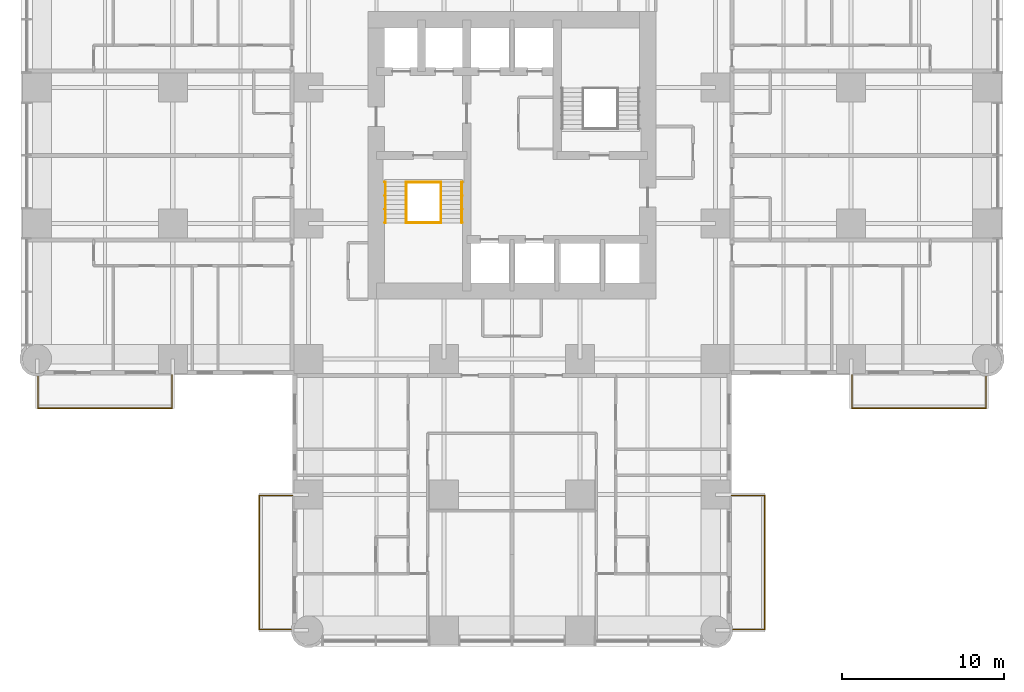
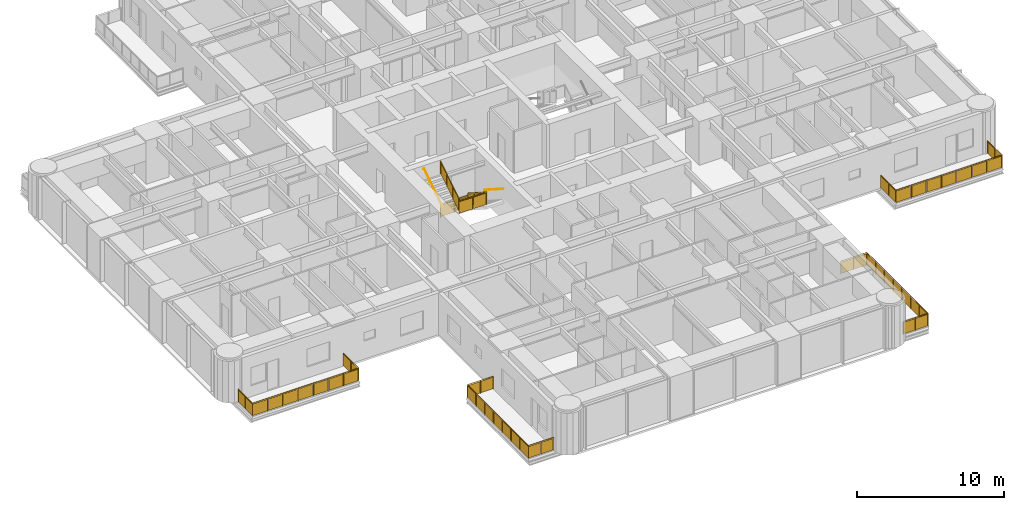
# One storey, part 16 of 17: 10 railings.
"""IFC4 building model written with IfcOpenShell, lengths in metres."""

from ifc_helpers import new_model, si_unit, direction, frame, origin, origin_2d, place, context, subcontext, project, spatial, polyline, circle, outline, extrude, material, constituent, constituent_set, type_object, element, save


model = new_model("IFC4")

# Units and contexts
model_context = context("Model", 3, precision=1e-05, world=origin(), true_north=direction((0.0, 1.0)))
body_context = subcontext(model_context, "Body", "Model", "MODEL_VIEW")
ifc_project = project(units=[si_unit("LENGTHUNIT", "METRE"), si_unit("AREAUNIT", "SQUARE_METRE"), si_unit("VOLUMEUNIT", "CUBIC_METRE"), si_unit("PLANEANGLEUNIT", "RADIAN"), si_unit("MASSUNIT", "GRAM", prefix="KILO")], contexts=[model_context])

# Site, building, storey
site_placement = place(None, origin())
site = spatial("IfcSite", under=ifc_project, at=site_placement, CompositionType="ELEMENT")
building_placement = place(site_placement, origin())
building = spatial("IfcBuilding", under=site, at=building_placement, Name="Torre Alcanfor", CompositionType="ELEMENT")
storey_placement = place(building_placement, frame((0.0, 0.0, 84.89990234375)))
storey = spatial("IfcBuildingStorey", under=building, at=storey_placement, Name="L21", CompositionType="ELEMENT", Elevation=84.89990234375)

# Railings
ifc_material_1 = material(Name="Laminated safety glass", Category="glass")
ifc_constituent_1 = constituent(ifc_material_1, Name="Infill")
ifc_material_2 = material(Name="Stainless steel ASTM A554 Grade MT 316L tube", Category="steel")
ifc_constituent_2 = constituent(ifc_material_2, Name="Posts and rail")
ifc_constituent_set = constituent_set(constituents=[ifc_constituent_1, ifc_constituent_2], Name="Balcony guard glass 1100")
railing_type_1 = type_object("IfcRailingType", Name="Balcony guard glass 1100", PredefinedType="BALUSTRADE", material=ifc_constituent_set)
railing_1_placement = place(storey_placement, frame((50.449951171875, 15.800048828125, 0.0)))
element("IfcRailing", 1, at=railing_1_placement, inside=storey, type_object=railing_type_1, Name="Balcony guard L21-E2", PredefinedType="BALUSTRADE", context=body_context, shape_type="SweptSolid", body=[
    extrude(circle(Radius=0.02392578125, at=origin_2d()), frame((0.0, 0.0, 1.076171875), z_axis=(0.0, -1.0, 0.0), x_axis=(1.0, 0.0, 0.0)), (0.0, 0.0, 1.0), 2.050048828125),
    extrude(circle(Radius=0.02392578125, at=origin_2d()), frame((0.0, -2.050048828125, 1.076171875), z_axis=(1.0, 0.0, 0.0), x_axis=(0.0, 1.0, 0.0)), (0.0, 0.0, 1.0), 8.300048828125),
    extrude(circle(Radius=0.02392578125, at=origin_2d()), frame((8.300048828125, -2.050048828125, 1.076171875), z_axis=(0.0, 1.0, 0.0), x_axis=(-1.0, 0.0, 0.0)), (0.0, 0.0, 1.0), 1.968994140625),
    extrude(circle(Radius=0.02099609375, at=origin_2d()), origin(), (0.0, 0.0, 1.0), 1.052001953125),
    extrude(circle(Radius=0.02099609375, at=origin_2d()), frame((0.0, -1.02490234375, 0.0)), (0.0, 0.0, 1.0), 1.052001953125),
    extrude(circle(Radius=0.02099609375, at=origin_2d()), frame((0.0, -2.050048828125, 0.0)), (0.0, 0.0, 1.0), 1.052001953125),
    extrude(circle(Radius=0.02099609375, at=origin_2d()), frame((1.185791015625, -2.050048828125, 0.0)), (0.0, 0.0, 1.0), 1.052001953125),
    extrude(circle(Radius=0.02099609375, at=origin_2d()), frame((2.371337890625, -2.050048828125, 0.0)), (0.0, 0.0, 1.0), 1.052001953125),
    extrude(circle(Radius=0.02099609375, at=origin_2d()), frame((3.55712890625, -2.050048828125, 0.0)), (0.0, 0.0, 1.0), 1.052001953125),
    extrude(circle(Radius=0.02099609375, at=origin_2d()), frame((4.742919921875, -2.050048828125, 0.0)), (0.0, 0.0, 1.0), 1.052001953125),
    extrude(circle(Radius=0.02099609375, at=origin_2d()), frame((5.9287109375, -2.050048828125, 0.0)), (0.0, 0.0, 1.0), 1.052001953125),
    extrude(circle(Radius=0.02099609375, at=origin_2d()), frame((7.1142578125, -2.050048828125, 0.0)), (0.0, 0.0, 1.0), 1.052001953125),
    extrude(circle(Radius=0.02099609375, at=origin_2d()), frame((8.300048828125, -2.050048828125, 0.0)), (0.0, 0.0, 1.0), 1.052001953125),
    extrude(circle(Radius=0.02099609375, at=origin_2d()), frame((8.300048828125, -1.0654296875, 0.0)), (0.0, 0.0, 1.0), 1.052001953125),
    extrude(circle(Radius=0.02099609375, at=origin_2d()), frame((8.300048828125, -0.0810546875, 0.0)), (0.0, 0.0, 1.0), 1.052001953125),
    extrude(outline(polyline([(0.041015625, 0.050048828125), (0.984130859375, 0.050048828125), (0.984130859375, 1.001953125), (0.041015625, 1.001953125), (0.041015625, 0.050048828125)])), frame((0.005859375, 0.0, 0.0), z_axis=(-1.0, 0.0, 0.0), x_axis=(0.0, -1.0, 0.0)), (0.0, 0.0, 1.0), 0.011962890625),
    extrude(outline(polyline([(1.06591796875, 0.050048828125), (2.009033203125, 0.050048828125), (2.009033203125, 1.001953125), (1.06591796875, 1.001953125), (1.06591796875, 0.050048828125)])), frame((0.005859375, 0.0, 0.0), z_axis=(-1.0, 0.0, 0.0), x_axis=(0.0, -1.0, 0.0)), (0.0, 0.0, 1.0), 0.011962890625),
    extrude(outline(polyline([(0.041015625, 0.050048828125), (1.144775390625, 0.050048828125), (1.144775390625, 1.001953125), (0.041015625, 1.001953125), (0.041015625, 0.050048828125)])), frame((0.0, -2.0439453125, 0.0), z_axis=(0.0, -1.0, 0.0), x_axis=(1.0, 0.0, 0.0)), (0.0, 0.0, 1.0), 0.011962890625),
    extrude(outline(polyline([(1.226806640625, 0.050048828125), (2.330322265625, 0.050048828125), (2.330322265625, 1.001953125), (1.226806640625, 1.001953125), (1.226806640625, 0.050048828125)])), frame((0.0, -2.0439453125, 0.0), z_axis=(0.0, -1.0, 0.0), x_axis=(1.0, 0.0, 0.0)), (0.0, 0.0, 1.0), 0.011962890625),
    extrude(outline(polyline([(2.412353515625, 0.050048828125), (3.51611328125, 0.050048828125), (3.51611328125, 1.001953125), (2.412353515625, 1.001953125), (2.412353515625, 0.050048828125)])), frame((0.0, -2.0439453125, 0.0), z_axis=(0.0, -1.0, 0.0), x_axis=(1.0, 0.0, 0.0)), (0.0, 0.0, 1.0), 0.011962890625),
    extrude(outline(polyline([(3.59814453125, 0.050048828125), (4.701904296875, 0.050048828125), (4.701904296875, 1.001953125), (3.59814453125, 1.001953125), (3.59814453125, 0.050048828125)])), frame((0.0, -2.0439453125, 0.0), z_axis=(0.0, -1.0, 0.0), x_axis=(1.0, 0.0, 0.0)), (0.0, 0.0, 1.0), 0.011962890625),
    extrude(outline(polyline([(4.783935546875, 0.050048828125), (5.8876953125, 0.050048828125), (5.8876953125, 1.001953125), (4.783935546875, 1.001953125), (4.783935546875, 0.050048828125)])), frame((0.0, -2.0439453125, 0.0), z_axis=(0.0, -1.0, 0.0), x_axis=(1.0, 0.0, 0.0)), (0.0, 0.0, 1.0), 0.011962890625),
    extrude(outline(polyline([(5.9697265625, 0.050048828125), (7.0732421875, 0.050048828125), (7.0732421875, 1.001953125), (5.9697265625, 1.001953125), (5.9697265625, 0.050048828125)])), frame((0.0, -2.0439453125, 0.0), z_axis=(0.0, -1.0, 0.0), x_axis=(1.0, 0.0, 0.0)), (0.0, 0.0, 1.0), 0.011962890625),
    extrude(outline(polyline([(7.1552734375, 0.050048828125), (8.259033203125, 0.050048828125), (8.259033203125, 1.001953125), (7.1552734375, 1.001953125), (7.1552734375, 0.050048828125)])), frame((0.0, -2.0439453125, 0.0), z_axis=(0.0, -1.0, 0.0), x_axis=(1.0, 0.0, 0.0)), (0.0, 0.0, 1.0), 0.011962890625),
    extrude(outline(polyline([(0.041015625, 0.050048828125), (0.943603515625, 0.050048828125), (0.943603515625, 1.001953125), (0.041015625, 1.001953125), (0.041015625, 0.050048828125)])), frame((8.2939453125, -2.050048828125, 0.0), z_axis=(1.0, 0.0, 0.0), x_axis=(0.0, 1.0, 0.0)), (0.0, 0.0, 1.0), 0.011962890625),
    extrude(outline(polyline([(1.025390625, 0.050048828125), (1.927978515625, 0.050048828125), (1.927978515625, 1.001953125), (1.025390625, 1.001953125), (1.025390625, 0.050048828125)])), frame((8.2939453125, -2.050048828125, 0.0), z_axis=(1.0, 0.0, 0.0), x_axis=(0.0, 1.0, 0.0)), (0.0, 0.0, 1.0), 0.011962890625),
])
railing_2_placement = place(storey_placement, frame((43.0, 8.35009765625, 0.0)))
element("IfcRailing", 2, at=railing_2_placement, inside=storey, type_object=railing_type_1, Name="Balcony guard L21-S1", PredefinedType="BALUSTRADE", context=body_context, shape_type="SweptSolid", body=[
    extrude(circle(Radius=0.02392578125, at=origin_2d()), frame((0.0, 0.0, 1.076171875), z_axis=(1.0, 0.0, 0.0), x_axis=(0.0, 1.0, 0.0)), (0.0, 0.0, 1.0), 2.050048828125),
    extrude(circle(Radius=0.02392578125, at=origin_2d()), frame((2.050048828125, 0.0, 1.076171875), z_axis=(0.0, -1.0, 0.0), x_axis=(1.0, 0.0, 0.0)), (0.0, 0.0, 1.0), 8.300048828125),
    extrude(circle(Radius=0.02392578125, at=origin_2d()), frame((2.050048828125, -8.300048828125, 1.076171875), z_axis=(-1.0, 0.0, 0.0), x_axis=(0.0, -1.0, 0.0)), (0.0, 0.0, 1.0), 1.968994140625),
    extrude(circle(Radius=0.02099609375, at=origin_2d()), origin(), (0.0, 0.0, 1.0), 1.052001953125),
    extrude(circle(Radius=0.02099609375, at=origin_2d()), frame((1.02490234375, 0.0, 0.0)), (0.0, 0.0, 1.0), 1.052001953125),
    extrude(circle(Radius=0.02099609375, at=origin_2d()), frame((2.050048828125, 0.0, 0.0)), (0.0, 0.0, 1.0), 1.052001953125),
    extrude(circle(Radius=0.02099609375, at=origin_2d()), frame((2.050048828125, -1.185791015625, 0.0)), (0.0, 0.0, 1.0), 1.052001953125),
    extrude(circle(Radius=0.02099609375, at=origin_2d()), frame((2.050048828125, -2.371337890625, 0.0)), (0.0, 0.0, 1.0), 1.052001953125),
    extrude(circle(Radius=0.02099609375, at=origin_2d()), frame((2.050048828125, -3.55712890625, 0.0)), (0.0, 0.0, 1.0), 1.052001953125),
    extrude(circle(Radius=0.02099609375, at=origin_2d()), frame((2.050048828125, -4.742919921875, 0.0)), (0.0, 0.0, 1.0), 1.052001953125),
    extrude(circle(Radius=0.02099609375, at=origin_2d()), frame((2.050048828125, -5.9287109375, 0.0)), (0.0, 0.0, 1.0), 1.052001953125),
    extrude(circle(Radius=0.02099609375, at=origin_2d()), frame((2.050048828125, -7.1142578125, 0.0)), (0.0, 0.0, 1.0), 1.052001953125),
    extrude(circle(Radius=0.02099609375, at=origin_2d()), frame((2.050048828125, -8.300048828125, 0.0)), (0.0, 0.0, 1.0), 1.052001953125),
    extrude(circle(Radius=0.02099609375, at=origin_2d()), frame((1.0654296875, -8.300048828125, 0.0)), (0.0, 0.0, 1.0), 1.052001953125),
    extrude(circle(Radius=0.02099609375, at=origin_2d()), frame((0.0810546875, -8.300048828125, 0.0)), (0.0, 0.0, 1.0), 1.052001953125),
    extrude(outline(polyline([(0.041015625, 0.050048828125), (0.984130859375, 0.050048828125), (0.984130859375, 1.001953125), (0.041015625, 1.001953125), (0.041015625, 0.050048828125)])), frame((0.0, 0.005859375, 0.0), z_axis=(0.0, -1.0, 0.0), x_axis=(1.0, 0.0, 0.0)), (0.0, 0.0, 1.0), 0.011962890625),
    extrude(outline(polyline([(1.06591796875, 0.050048828125), (2.009033203125, 0.050048828125), (2.009033203125, 1.001953125), (1.06591796875, 1.001953125), (1.06591796875, 0.050048828125)])), frame((0.0, 0.005859375, 0.0), z_axis=(0.0, -1.0, 0.0), x_axis=(1.0, 0.0, 0.0)), (0.0, 0.0, 1.0), 0.011962890625),
    extrude(outline(polyline([(0.041015625, 0.050048828125), (1.144775390625, 0.050048828125), (1.144775390625, 1.001953125), (0.041015625, 1.001953125), (0.041015625, 0.050048828125)])), frame((2.05615234375, 0.0, 0.0), z_axis=(-1.0, 0.0, 0.0), x_axis=(0.0, -1.0, 0.0)), (0.0, 0.0, 1.0), 0.011962890625),
    extrude(outline(polyline([(1.226806640625, 0.050048828125), (2.330322265625, 0.050048828125), (2.330322265625, 1.001953125), (1.226806640625, 1.001953125), (1.226806640625, 0.050048828125)])), frame((2.05615234375, 0.0, 0.0), z_axis=(-1.0, 0.0, 0.0), x_axis=(0.0, -1.0, 0.0)), (0.0, 0.0, 1.0), 0.011962890625),
    extrude(outline(polyline([(2.412353515625, 0.050048828125), (3.51611328125, 0.050048828125), (3.51611328125, 1.001953125), (2.412353515625, 1.001953125), (2.412353515625, 0.050048828125)])), frame((2.05615234375, 0.0, 0.0), z_axis=(-1.0, 0.0, 0.0), x_axis=(0.0, -1.0, 0.0)), (0.0, 0.0, 1.0), 0.011962890625),
    extrude(outline(polyline([(3.59814453125, 0.050048828125), (4.701904296875, 0.050048828125), (4.701904296875, 1.001953125), (3.59814453125, 1.001953125), (3.59814453125, 0.050048828125)])), frame((2.05615234375, 0.0, 0.0), z_axis=(-1.0, 0.0, 0.0), x_axis=(0.0, -1.0, 0.0)), (0.0, 0.0, 1.0), 0.011962890625),
    extrude(outline(polyline([(4.783935546875, 0.050048828125), (5.8876953125, 0.050048828125), (5.8876953125, 1.001953125), (4.783935546875, 1.001953125), (4.783935546875, 0.050048828125)])), frame((2.05615234375, 0.0, 0.0), z_axis=(-1.0, 0.0, 0.0), x_axis=(0.0, -1.0, 0.0)), (0.0, 0.0, 1.0), 0.011962890625),
    extrude(outline(polyline([(5.9697265625, 0.050048828125), (7.0732421875, 0.050048828125), (7.0732421875, 1.001953125), (5.9697265625, 1.001953125), (5.9697265625, 0.050048828125)])), frame((2.05615234375, 0.0, 0.0), z_axis=(-1.0, 0.0, 0.0), x_axis=(0.0, -1.0, 0.0)), (0.0, 0.0, 1.0), 0.011962890625),
    extrude(outline(polyline([(7.1552734375, 0.050048828125), (8.259033203125, 0.050048828125), (8.259033203125, 1.001953125), (7.1552734375, 1.001953125), (7.1552734375, 0.050048828125)])), frame((2.05615234375, 0.0, 0.0), z_axis=(-1.0, 0.0, 0.0), x_axis=(0.0, -1.0, 0.0)), (0.0, 0.0, 1.0), 0.011962890625),
    extrude(outline(polyline([(0.041015625, 0.050048828125), (0.943603515625, 0.050048828125), (0.943603515625, 1.001953125), (0.041015625, 1.001953125), (0.041015625, 0.050048828125)])), frame((2.050048828125, -8.30615234375, 0.0), z_axis=(0.0, 1.0, 0.0), x_axis=(-1.0, 0.0, 0.0)), (0.0, 0.0, 1.0), 0.011962890625),
    extrude(outline(polyline([(1.025390625, 0.050048828125), (1.927978515625, 0.050048828125), (1.927978515625, 1.001953125), (1.025390625, 1.001953125), (1.025390625, 0.050048828125)])), frame((2.050048828125, -8.30615234375, 0.0), z_axis=(0.0, 1.0, 0.0), x_axis=(-1.0, 0.0, 0.0)), (0.0, 0.0, 1.0), 0.011962890625),
])
railing_3_placement = place(storey_placement, frame((15.800048828125, 8.35009765625, 0.0)))
element("IfcRailing", 3, at=railing_3_placement, inside=storey, type_object=railing_type_1, Name="Balcony guard L21-S2", PredefinedType="BALUSTRADE", context=body_context, shape_type="SweptSolid", body=[
    extrude(circle(Radius=0.02392578125, at=origin_2d()), frame((0.0, 0.0, 1.076171875), z_axis=(-1.0, 0.0, 0.0), x_axis=(0.0, -1.0, 0.0)), (0.0, 0.0, 1.0), 2.050048828125),
    extrude(circle(Radius=0.02392578125, at=origin_2d()), frame((-2.050048828125, 0.0, 1.076171875), z_axis=(0.0, -1.0, 0.0), x_axis=(1.0, 0.0, 0.0)), (0.0, 0.0, 1.0), 8.300048828125),
    extrude(circle(Radius=0.02392578125, at=origin_2d()), frame((-2.050048828125, -8.300048828125, 1.076171875), z_axis=(1.0, 0.0, 0.0), x_axis=(0.0, 1.0, 0.0)), (0.0, 0.0, 1.0), 1.968994140625),
    extrude(circle(Radius=0.02099609375, at=origin_2d()), origin(), (0.0, 0.0, 1.0), 1.052001953125),
    extrude(circle(Radius=0.02099609375, at=origin_2d()), frame((-1.02490234375, 0.0, 0.0)), (0.0, 0.0, 1.0), 1.052001953125),
    extrude(circle(Radius=0.02099609375, at=origin_2d()), frame((-2.050048828125, 0.0, 0.0)), (0.0, 0.0, 1.0), 1.052001953125),
    extrude(circle(Radius=0.02099609375, at=origin_2d()), frame((-2.050048828125, -1.185791015625, 0.0)), (0.0, 0.0, 1.0), 1.052001953125),
    extrude(circle(Radius=0.02099609375, at=origin_2d()), frame((-2.050048828125, -2.371337890625, 0.0)), (0.0, 0.0, 1.0), 1.052001953125),
    extrude(circle(Radius=0.02099609375, at=origin_2d()), frame((-2.050048828125, -3.55712890625, 0.0)), (0.0, 0.0, 1.0), 1.052001953125),
    extrude(circle(Radius=0.02099609375, at=origin_2d()), frame((-2.050048828125, -4.742919921875, 0.0)), (0.0, 0.0, 1.0), 1.052001953125),
    extrude(circle(Radius=0.02099609375, at=origin_2d()), frame((-2.050048828125, -5.9287109375, 0.0)), (0.0, 0.0, 1.0), 1.052001953125),
    extrude(circle(Radius=0.02099609375, at=origin_2d()), frame((-2.050048828125, -7.1142578125, 0.0)), (0.0, 0.0, 1.0), 1.052001953125),
    extrude(circle(Radius=0.02099609375, at=origin_2d()), frame((-2.050048828125, -8.300048828125, 0.0)), (0.0, 0.0, 1.0), 1.052001953125),
    extrude(circle(Radius=0.02099609375, at=origin_2d()), frame((-1.0654296875, -8.300048828125, 0.0)), (0.0, 0.0, 1.0), 1.052001953125),
    extrude(circle(Radius=0.02099609375, at=origin_2d()), frame((-0.0810546875, -8.300048828125, 0.0)), (0.0, 0.0, 1.0), 1.052001953125),
    extrude(outline(polyline([(0.041015625, 0.050048828125), (0.984130859375, 0.050048828125), (0.984130859375, 1.001953125), (0.041015625, 1.001953125), (0.041015625, 0.050048828125)])), frame((0.0, -0.005859375, 0.0), z_axis=(0.0, 1.0, 0.0), x_axis=(-1.0, 0.0, 0.0)), (0.0, 0.0, 1.0), 0.011962890625),
    extrude(outline(polyline([(1.06591796875, 0.050048828125), (2.009033203125, 0.050048828125), (2.009033203125, 1.001953125), (1.06591796875, 1.001953125), (1.06591796875, 0.050048828125)])), frame((0.0, -0.005859375, 0.0), z_axis=(0.0, 1.0, 0.0), x_axis=(-1.0, 0.0, 0.0)), (0.0, 0.0, 1.0), 0.011962890625),
    extrude(outline(polyline([(0.041015625, 0.050048828125), (1.144775390625, 0.050048828125), (1.144775390625, 1.001953125), (0.041015625, 1.001953125), (0.041015625, 0.050048828125)])), frame((-2.0439453125, 0.0, 0.0), z_axis=(-1.0, 0.0, 0.0), x_axis=(0.0, -1.0, 0.0)), (0.0, 0.0, 1.0), 0.011962890625),
    extrude(outline(polyline([(1.226806640625, 0.050048828125), (2.330322265625, 0.050048828125), (2.330322265625, 1.001953125), (1.226806640625, 1.001953125), (1.226806640625, 0.050048828125)])), frame((-2.0439453125, 0.0, 0.0), z_axis=(-1.0, 0.0, 0.0), x_axis=(0.0, -1.0, 0.0)), (0.0, 0.0, 1.0), 0.011962890625),
    extrude(outline(polyline([(2.412353515625, 0.050048828125), (3.51611328125, 0.050048828125), (3.51611328125, 1.001953125), (2.412353515625, 1.001953125), (2.412353515625, 0.050048828125)])), frame((-2.0439453125, 0.0, 0.0), z_axis=(-1.0, 0.0, 0.0), x_axis=(0.0, -1.0, 0.0)), (0.0, 0.0, 1.0), 0.011962890625),
    extrude(outline(polyline([(3.59814453125, 0.050048828125), (4.701904296875, 0.050048828125), (4.701904296875, 1.001953125), (3.59814453125, 1.001953125), (3.59814453125, 0.050048828125)])), frame((-2.0439453125, 0.0, 0.0), z_axis=(-1.0, 0.0, 0.0), x_axis=(0.0, -1.0, 0.0)), (0.0, 0.0, 1.0), 0.011962890625),
    extrude(outline(polyline([(4.783935546875, 0.050048828125), (5.8876953125, 0.050048828125), (5.8876953125, 1.001953125), (4.783935546875, 1.001953125), (4.783935546875, 0.050048828125)])), frame((-2.0439453125, 0.0, 0.0), z_axis=(-1.0, 0.0, 0.0), x_axis=(0.0, -1.0, 0.0)), (0.0, 0.0, 1.0), 0.011962890625),
    extrude(outline(polyline([(5.9697265625, 0.050048828125), (7.0732421875, 0.050048828125), (7.0732421875, 1.001953125), (5.9697265625, 1.001953125), (5.9697265625, 0.050048828125)])), frame((-2.0439453125, 0.0, 0.0), z_axis=(-1.0, 0.0, 0.0), x_axis=(0.0, -1.0, 0.0)), (0.0, 0.0, 1.0), 0.011962890625),
    extrude(outline(polyline([(7.1552734375, 0.050048828125), (8.259033203125, 0.050048828125), (8.259033203125, 1.001953125), (7.1552734375, 1.001953125), (7.1552734375, 0.050048828125)])), frame((-2.0439453125, 0.0, 0.0), z_axis=(-1.0, 0.0, 0.0), x_axis=(0.0, -1.0, 0.0)), (0.0, 0.0, 1.0), 0.011962890625),
    extrude(outline(polyline([(0.041015625, 0.050048828125), (0.943603515625, 0.050048828125), (0.943603515625, 1.001953125), (0.041015625, 1.001953125), (0.041015625, 0.050048828125)])), frame((-2.050048828125, -8.2939453125, 0.0), z_axis=(0.0, -1.0, 0.0), x_axis=(1.0, 0.0, 0.0)), (0.0, 0.0, 1.0), 0.011962890625),
    extrude(outline(polyline([(1.025390625, 0.050048828125), (1.927978515625, 0.050048828125), (1.927978515625, 1.001953125), (1.025390625, 1.001953125), (1.025390625, 0.050048828125)])), frame((-2.050048828125, -8.2939453125, 0.0), z_axis=(0.0, -1.0, 0.0), x_axis=(1.0, 0.0, 0.0)), (0.0, 0.0, 1.0), 0.011962890625),
])
railing_4_placement = place(storey_placement, frame((8.35009765625, 15.800048828125, 0.0)))
element("IfcRailing", 4, at=railing_4_placement, inside=storey, type_object=railing_type_1, Name="Balcony guard L21-W1", PredefinedType="BALUSTRADE", context=body_context, shape_type="SweptSolid", body=[
    extrude(circle(Radius=0.02392578125, at=origin_2d()), frame((0.0, 0.0, 1.076171875), z_axis=(0.0, -1.0, 0.0), x_axis=(1.0, 0.0, 0.0)), (0.0, 0.0, 1.0), 2.050048828125),
    extrude(circle(Radius=0.02392578125, at=origin_2d()), frame((0.0, -2.050048828125, 1.076171875), z_axis=(-1.0, 0.0, 0.0), x_axis=(0.0, -1.0, 0.0)), (0.0, 0.0, 1.0), 8.300048828125),
    extrude(circle(Radius=0.02392578125, at=origin_2d()), frame((-8.300048828125, -2.050048828125, 1.076171875), z_axis=(0.0, 1.0, 0.0), x_axis=(-1.0, 0.0, 0.0)), (0.0, 0.0, 1.0), 1.968994140625),
    extrude(circle(Radius=0.02099609375, at=origin_2d()), origin(), (0.0, 0.0, 1.0), 1.052001953125),
    extrude(circle(Radius=0.02099609375, at=origin_2d()), frame((0.0, -1.02490234375, 0.0)), (0.0, 0.0, 1.0), 1.052001953125),
    extrude(circle(Radius=0.02099609375, at=origin_2d()), frame((0.0, -2.050048828125, 0.0)), (0.0, 0.0, 1.0), 1.052001953125),
    extrude(circle(Radius=0.02099609375, at=origin_2d()), frame((-1.185791015625, -2.050048828125, 0.0)), (0.0, 0.0, 1.0), 1.052001953125),
    extrude(circle(Radius=0.02099609375, at=origin_2d()), frame((-2.371337890625, -2.050048828125, 0.0)), (0.0, 0.0, 1.0), 1.052001953125),
    extrude(circle(Radius=0.02099609375, at=origin_2d()), frame((-3.55712890625, -2.050048828125, 0.0)), (0.0, 0.0, 1.0), 1.052001953125),
    extrude(circle(Radius=0.02099609375, at=origin_2d()), frame((-4.742919921875, -2.050048828125, 0.0)), (0.0, 0.0, 1.0), 1.052001953125),
    extrude(circle(Radius=0.02099609375, at=origin_2d()), frame((-5.9287109375, -2.050048828125, 0.0)), (0.0, 0.0, 1.0), 1.052001953125),
    extrude(circle(Radius=0.02099609375, at=origin_2d()), frame((-7.1142578125, -2.050048828125, 0.0)), (0.0, 0.0, 1.0), 1.052001953125),
    extrude(circle(Radius=0.02099609375, at=origin_2d()), frame((-8.300048828125, -2.050048828125, 0.0)), (0.0, 0.0, 1.0), 1.052001953125),
    extrude(circle(Radius=0.02099609375, at=origin_2d()), frame((-8.300048828125, -1.0654296875, 0.0)), (0.0, 0.0, 1.0), 1.052001953125),
    extrude(circle(Radius=0.02099609375, at=origin_2d()), frame((-8.300048828125, -0.0810546875, 0.0)), (0.0, 0.0, 1.0), 1.052001953125),
    extrude(outline(polyline([(0.041015625, 0.050048828125), (0.984130859375, 0.050048828125), (0.984130859375, 1.001953125), (0.041015625, 1.001953125), (0.041015625, 0.050048828125)])), frame((0.005859375, 0.0, 0.0), z_axis=(-1.0, 0.0, 0.0), x_axis=(0.0, -1.0, 0.0)), (0.0, 0.0, 1.0), 0.011962890625),
    extrude(outline(polyline([(1.06591796875, 0.050048828125), (2.009033203125, 0.050048828125), (2.009033203125, 1.001953125), (1.06591796875, 1.001953125), (1.06591796875, 0.050048828125)])), frame((0.005859375, 0.0, 0.0), z_axis=(-1.0, 0.0, 0.0), x_axis=(0.0, -1.0, 0.0)), (0.0, 0.0, 1.0), 0.011962890625),
    extrude(outline(polyline([(0.041015625, 0.050048828125), (1.144775390625, 0.050048828125), (1.144775390625, 1.001953125), (0.041015625, 1.001953125), (0.041015625, 0.050048828125)])), frame((0.0, -2.05615234375, 0.0), z_axis=(0.0, 1.0, 0.0), x_axis=(-1.0, 0.0, 0.0)), (0.0, 0.0, 1.0), 0.011962890625),
    extrude(outline(polyline([(1.226806640625, 0.050048828125), (2.330322265625, 0.050048828125), (2.330322265625, 1.001953125), (1.226806640625, 1.001953125), (1.226806640625, 0.050048828125)])), frame((0.0, -2.05615234375, 0.0), z_axis=(0.0, 1.0, 0.0), x_axis=(-1.0, 0.0, 0.0)), (0.0, 0.0, 1.0), 0.011962890625),
    extrude(outline(polyline([(2.412353515625, 0.050048828125), (3.51611328125, 0.050048828125), (3.51611328125, 1.001953125), (2.412353515625, 1.001953125), (2.412353515625, 0.050048828125)])), frame((0.0, -2.05615234375, 0.0), z_axis=(0.0, 1.0, 0.0), x_axis=(-1.0, 0.0, 0.0)), (0.0, 0.0, 1.0), 0.011962890625),
    extrude(outline(polyline([(3.59814453125, 0.050048828125), (4.701904296875, 0.050048828125), (4.701904296875, 1.001953125), (3.59814453125, 1.001953125), (3.59814453125, 0.050048828125)])), frame((0.0, -2.05615234375, 0.0), z_axis=(0.0, 1.0, 0.0), x_axis=(-1.0, 0.0, 0.0)), (0.0, 0.0, 1.0), 0.011962890625),
    extrude(outline(polyline([(4.783935546875, 0.050048828125), (5.8876953125, 0.050048828125), (5.8876953125, 1.001953125), (4.783935546875, 1.001953125), (4.783935546875, 0.050048828125)])), frame((0.0, -2.05615234375, 0.0), z_axis=(0.0, 1.0, 0.0), x_axis=(-1.0, 0.0, 0.0)), (0.0, 0.0, 1.0), 0.011962890625),
    extrude(outline(polyline([(5.9697265625, 0.050048828125), (7.0732421875, 0.050048828125), (7.0732421875, 1.001953125), (5.9697265625, 1.001953125), (5.9697265625, 0.050048828125)])), frame((0.0, -2.05615234375, 0.0), z_axis=(0.0, 1.0, 0.0), x_axis=(-1.0, 0.0, 0.0)), (0.0, 0.0, 1.0), 0.011962890625),
    extrude(outline(polyline([(7.1552734375, 0.050048828125), (8.259033203125, 0.050048828125), (8.259033203125, 1.001953125), (7.1552734375, 1.001953125), (7.1552734375, 0.050048828125)])), frame((0.0, -2.05615234375, 0.0), z_axis=(0.0, 1.0, 0.0), x_axis=(-1.0, 0.0, 0.0)), (0.0, 0.0, 1.0), 0.011962890625),
    extrude(outline(polyline([(0.041015625, 0.050048828125), (0.943603515625, 0.050048828125), (0.943603515625, 1.001953125), (0.041015625, 1.001953125), (0.041015625, 0.050048828125)])), frame((-8.30615234375, -2.050048828125, 0.0), z_axis=(1.0, 0.0, 0.0), x_axis=(0.0, 1.0, 0.0)), (0.0, 0.0, 1.0), 0.011962890625),
    extrude(outline(polyline([(1.025390625, 0.050048828125), (1.927978515625, 0.050048828125), (1.927978515625, 1.001953125), (1.025390625, 1.001953125), (1.025390625, 0.050048828125)])), frame((-8.30615234375, -2.050048828125, 0.0), z_axis=(1.0, 0.0, 0.0), x_axis=(0.0, 1.0, 0.0)), (0.0, 0.0, 1.0), 0.011962890625),
])
ifc_material_3 = material(Name="Steel ASTM A500 Grade C hollow sections", Category="steel")
railing_type_2 = type_object("IfcRailingType", Name="Stair guard and handrail 1100", PredefinedType="GUARDRAIL", material=ifc_material_3)
railing_5_placement = place(storey_placement, frame((25.0, 27.75, 0.18017578125)))
element("IfcRailing", 5, at=railing_5_placement, inside=storey, type_object=railing_type_2, Name="Stair guard S1 L21 flight 1", PredefinedType="GUARDRAIL", context=body_context, shape_type="SweptSolid", body=[
    extrude(circle(Radius=0.02392578125, at=origin_2d()), frame((0.0, 0.0, 1.076171875), z_axis=(0.0, -0.841199657755, 0.540724639528), x_axis=(1.0, 0.0, 0.0)), (0.0, 0.0, 1.0), 2.995849609375),
    extrude(circle(Radius=0.02099609375, at=origin_2d()), origin(), (0.0, 0.0, 1.0), 1.052001953125),
    extrude(circle(Radius=0.02099609375, at=origin_2d()), frame((0.0, -0.840087890625, 0.5400390625)), (0.0, 0.0, 1.0), 1.052001953125),
    extrude(circle(Radius=0.02099609375, at=origin_2d()), frame((0.0, -1.679931640625, 1.079833984375)), (0.0, 0.0, 1.0), 1.052001953125),
    extrude(circle(Radius=0.02099609375, at=origin_2d()), frame((0.0, -2.52001953125, 1.619873046875)), (0.0, 0.0, 1.0), 1.052001953125),
    extrude(outline(polyline([(0.041015625, 0.076416015625), (0.799072265625, 0.563720703125), (0.799072265625, 1.515625), (0.041015625, 1.0283203125), (0.041015625, 0.076416015625)])), frame((0.005859375, 0.0, 0.0), z_axis=(-1.0, 0.0, 0.0), x_axis=(0.0, -1.0, 0.0)), (0.0, 0.0, 1.0), 0.011962890625),
    extrude(outline(polyline([(0.881103515625, 0.6162109375), (1.638916015625, 1.103515625), (1.638916015625, 2.0556640625), (0.881103515625, 1.568359375), (0.881103515625, 0.6162109375)])), frame((0.005859375, 0.0, 0.0), z_axis=(-1.0, 0.0, 0.0), x_axis=(0.0, -1.0, 0.0)), (0.0, 0.0, 1.0), 0.011962890625),
    extrude(outline(polyline([(1.720947265625, 1.15625), (2.47900390625, 1.6435546875), (2.47900390625, 2.595458984375), (1.720947265625, 2.108154296875), (1.720947265625, 1.15625)])), frame((0.005859375, 0.0, 0.0), z_axis=(-1.0, 0.0, 0.0), x_axis=(0.0, -1.0, 0.0)), (0.0, 0.0, 1.0), 0.011962890625),
])
railing_6_placement = place(storey_placement, frame((22.85009765625, 25.22998046875, 1.97998046875)))
element("IfcRailing", 6, at=railing_6_placement, inside=storey, type_object=railing_type_2, Name="Stair guard S1 L21 flight 2", PredefinedType="GUARDRAIL", context=body_context, shape_type="SweptSolid", body=[
    extrude(circle(Radius=0.02392578125, at=origin_2d()), frame((0.0, 0.0, 1.076171875), z_axis=(0.0, 0.841162588446, 0.540782303519), x_axis=(-1.0, 0.0, 0.0)), (0.0, 0.0, 1.0), 2.995849609375),
    extrude(circle(Radius=0.02099609375, at=origin_2d()), origin(), (0.0, 0.0, 1.0), 1.052001953125),
    extrude(circle(Radius=0.02099609375, at=origin_2d()), frame((0.0, 0.840087890625, 0.5400390625)), (0.0, 0.0, 1.0), 1.052001953125),
    extrude(circle(Radius=0.02099609375, at=origin_2d()), frame((0.0, 1.679931640625, 1.080078125)), (0.0, 0.0, 1.0), 1.052001953125),
    extrude(circle(Radius=0.02099609375, at=origin_2d()), frame((0.0, 2.52001953125, 1.6201171875)), (0.0, 0.0, 1.0), 1.052001953125),
    extrude(outline(polyline([(0.041015625, 0.076416015625), (0.799072265625, 0.563720703125), (0.799072265625, 1.515625), (0.041015625, 1.0283203125), (0.041015625, 0.076416015625)])), frame((-0.005859375, 0.0, 0.0), z_axis=(1.0, 0.0, 0.0), x_axis=(0.0, 1.0, 0.0)), (0.0, 0.0, 1.0), 0.011962890625),
    extrude(outline(polyline([(0.881103515625, 0.616455078125), (1.638916015625, 1.103759765625), (1.638916015625, 2.0556640625), (0.881103515625, 1.568359375), (0.881103515625, 0.616455078125)])), frame((-0.005859375, 0.0, 0.0), z_axis=(1.0, 0.0, 0.0), x_axis=(0.0, 1.0, 0.0)), (0.0, 0.0, 1.0), 0.011962890625),
    extrude(outline(polyline([(1.720947265625, 1.156494140625), (2.47900390625, 1.643798828125), (2.47900390625, 2.595703125), (1.720947265625, 2.1083984375), (1.720947265625, 1.156494140625)])), frame((-0.005859375, 0.0, 0.0), z_axis=(1.0, 0.0, 0.0), x_axis=(0.0, 1.0, 0.0)), (0.0, 0.0, 1.0), 0.011962890625),
])
for number, where, name in (
    (7, (22.85009765625, 27.75, 0.0), "Stair well guard S1 L21 floor landing"),
    (8, (22.85009765625, 25.22998046875, 1.800048828125), "Stair well guard S1 L21 half landing"),
):
    element("IfcRailing", number, at=place(storey_placement, frame(where)), inside=storey, type_object=railing_type_2, Name=name, PredefinedType="GUARDRAIL", context=body_context, shape_type="SweptSolid", body=[
        extrude(circle(Radius=0.02392578125, at=origin_2d()), frame((0.0, 0.0, 1.076171875), z_axis=(1.0, 0.0, 0.0), x_axis=(0.0, 1.0, 0.0)), (0.0, 0.0, 1.0), 2.14990234375),
        extrude(circle(Radius=0.02099609375, at=origin_2d()), origin(), (0.0, 0.0, 1.0), 1.052001953125),
        extrude(circle(Radius=0.02099609375, at=origin_2d()), frame((1.074951171875, 0.0, 0.0)), (0.0, 0.0, 1.0), 1.052001953125),
        extrude(circle(Radius=0.02099609375, at=origin_2d()), frame((2.14990234375, 0.0, 0.0)), (0.0, 0.0, 1.0), 1.052001953125),
        extrude(outline(polyline([(0.041015625, 0.050048828125), (1.033935546875, 0.050048828125), (1.033935546875, 1.001953125), (0.041015625, 1.001953125), (0.041015625, 0.050048828125)])), frame((0.0, 0.005859375, 0.0), z_axis=(0.0, -1.0, 0.0), x_axis=(1.0, 0.0, 0.0)), (0.0, 0.0, 1.0), 0.011962890625),
        extrude(outline(polyline([(1.115966796875, 0.050048828125), (2.10888671875, 0.050048828125), (2.10888671875, 1.001953125), (1.115966796875, 1.001953125), (1.115966796875, 0.050048828125)])), frame((0.0, 0.005859375, 0.0), z_axis=(0.0, -1.0, 0.0), x_axis=(1.0, 0.0, 0.0)), (0.0, 0.0, 1.0), 0.011962890625),
    ])
ifc_material_4 = material(Name="Steel ASTM A500 Grade C hollow sections", Category="steel")
railing_type_3 = type_object("IfcRailingType", Name="Stair wall handrail 900", PredefinedType="HANDRAIL", material=ifc_material_4)
railing_7_placement = place(storey_placement, frame((26.284912109375, 27.75, 0.18017578125)))
element("IfcRailing", 9, at=railing_7_placement, inside=storey, type_object=railing_type_3, Name="Stair handrail S1 L21 flight 1", PredefinedType="HANDRAIL", context=body_context, shape_type="SweptSolid", body=[
    extrude(circle(Radius=0.02392578125, at=origin_2d()), frame((0.0, 0.0, 0.8759765625), z_axis=(0.0, -0.841199657755, 0.540724639528), x_axis=(1.0, 0.0, 0.0)), (0.0, 0.0, 1.0), 2.995849609375),
    extrude(circle(Radius=0.008056640625, at=origin_2d()), frame((0.0, 0.0, 0.8759765625), z_axis=(1.0, 0.0, 0.0), x_axis=(0.0, 0.0, 1.0)), (0.0, 0.0, 1.0), 0.06494140625),
    extrude(circle(Radius=0.008056640625, at=origin_2d()), frame((0.0, -0.840087890625, 1.415771484375), z_axis=(1.0, 0.0, 0.0), x_axis=(0.0, 0.0, 1.0)), (0.0, 0.0, 1.0), 0.06494140625),
    extrude(circle(Radius=0.008056640625, at=origin_2d()), frame((0.0, -1.679931640625, 1.955810546875), z_axis=(1.0, 0.0, 0.0), x_axis=(0.0, 0.0, 1.0)), (0.0, 0.0, 1.0), 0.06494140625),
    extrude(circle(Radius=0.008056640625, at=origin_2d()), frame((0.0, -2.52001953125, 2.49560546875), z_axis=(1.0, 0.0, 0.0), x_axis=(0.0, 0.0, 1.0)), (0.0, 0.0, 1.0), 0.06494140625),
])
railing_8_placement = place(storey_placement, frame((21.56494140625, 25.22998046875, 1.97998046875)))
element("IfcRailing", 10, at=railing_8_placement, inside=storey, type_object=railing_type_3, Name="Stair handrail S1 L21 flight 2", PredefinedType="HANDRAIL", context=body_context, shape_type="SweptSolid", body=[
    extrude(circle(Radius=0.02392578125, at=origin_2d()), frame((0.0, 0.0, 0.8759765625), z_axis=(0.0, 0.841162588446, 0.540782303519), x_axis=(-1.0, 0.0, 0.0)), (0.0, 0.0, 1.0), 2.995849609375),
    extrude(circle(Radius=0.008056640625, at=origin_2d()), frame((0.0, 0.0, 0.8759765625), z_axis=(-1.0, 0.0, 0.0), x_axis=(0.0, 0.0, 1.0)), (0.0, 0.0, 1.0), 0.06494140625),
    extrude(circle(Radius=0.008056640625, at=origin_2d()), frame((0.0, 0.840087890625, 1.416015625), z_axis=(-1.0, 0.0, 0.0), x_axis=(0.0, 0.0, 1.0)), (0.0, 0.0, 1.0), 0.06494140625),
    extrude(circle(Radius=0.008056640625, at=origin_2d()), frame((0.0, 1.679931640625, 1.9560546875), z_axis=(-1.0, 0.0, 0.0), x_axis=(0.0, 0.0, 1.0)), (0.0, 0.0, 1.0), 0.06494140625),
    extrude(circle(Radius=0.008056640625, at=origin_2d()), frame((0.0, 2.52001953125, 2.49609375), z_axis=(-1.0, 0.0, 0.0), x_axis=(0.0, 0.0, 1.0)), (0.0, 0.0, 1.0), 0.06494140625),
])

save(model, "model.ifc")
